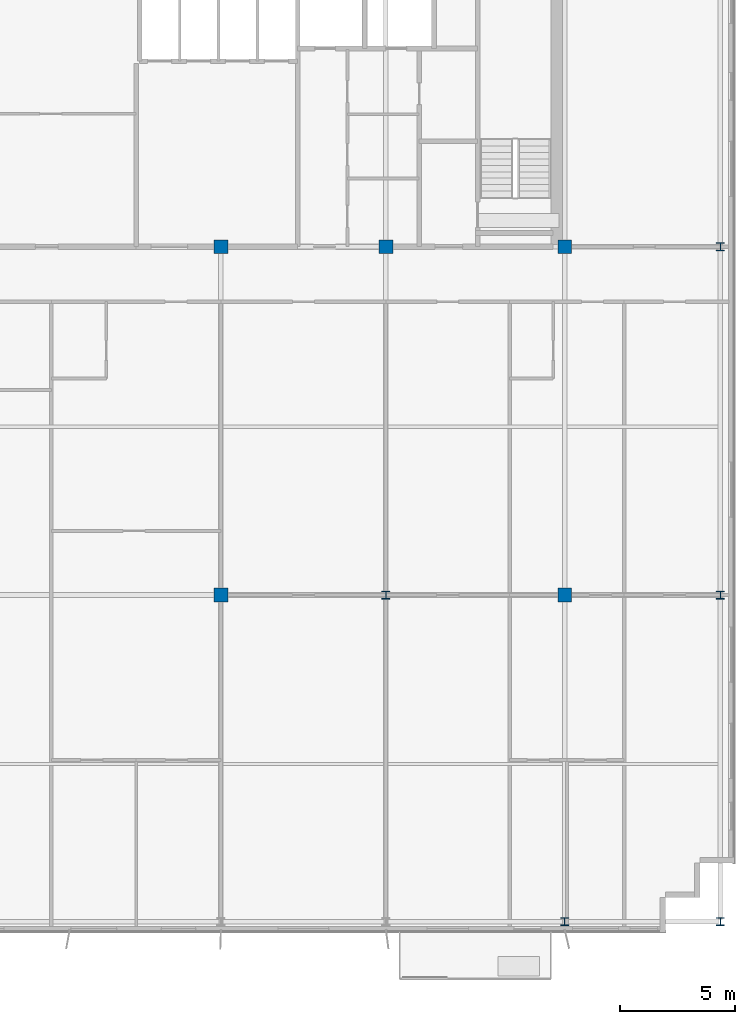
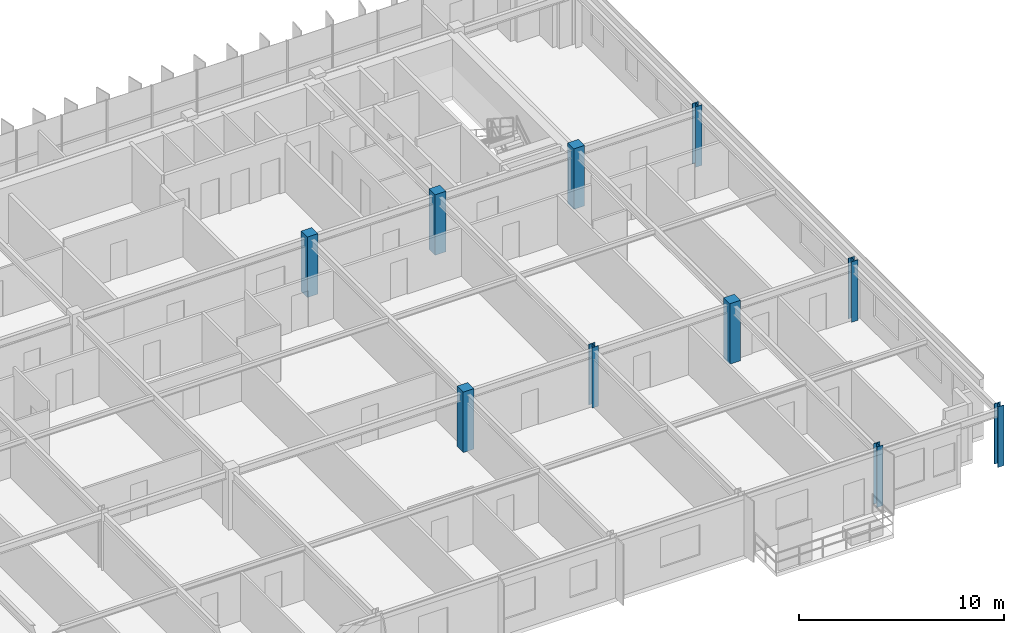
# One storey, part 2 of 23: 10 columns.
"""IFC4 building model written with IfcOpenShell, lengths in metres."""

from ifc_helpers import new_model, si_unit, direction, frame, origin, origin_2d, place, context, subcontext, project, spatial, rectangle, i_section, extrude, source, transform, mapped, material, material_profile, profile_set, type_object, element, save


model = new_model("IFC4")

# Units and contexts
model_context = context("Model", 3, precision=1e-05, world=origin(), true_north=direction((0.0, 1.0)))
body_context = subcontext(model_context, "Body", "Model", "MODEL_VIEW")
ifc_project = project(units=[si_unit("LENGTHUNIT", "METRE"), si_unit("AREAUNIT", "SQUARE_METRE"), si_unit("VOLUMEUNIT", "CUBIC_METRE"), si_unit("PLANEANGLEUNIT", "RADIAN"), si_unit("MASSUNIT", "GRAM", prefix="KILO")], contexts=[model_context])

# Site, building, storey
site_placement = place(None, origin())
site = spatial("IfcSite", under=ifc_project, at=site_placement, CompositionType="ELEMENT")
building_placement = place(site_placement, origin())
building = spatial("IfcBuilding", under=site, at=building_placement, Name="Trelvane Seafront Commons", CompositionType="ELEMENT")
storey_placement = place(building_placement, frame((0.0, 0.0, 259.5)))
storey = spatial("IfcBuildingStorey", under=building, at=storey_placement, Name="L67", CompositionType="ELEMENT", Elevation=259.5)

# Columns
ifc_material_1 = material(Name="Steel SM355 (S355)", Category="steel")
ifc_material_profile_1 = material_profile(ifc_material_1, i_section(OverallWidth=0.35009765625, OverallDepth=0.35009765625, WebThickness=0.01806640625, FlangeThickness=0.028076171875, at=origin_2d()), Name="HD-350x350x18x28")
ifc_profile_set_1 = profile_set([ifc_material_profile_1], Name="Steel SM355 (S355)")
column_type_1 = type_object("IfcColumnType", Name="STR-COL-HD350", PredefinedType="COLUMN", material=ifc_profile_set_1)
shared_shape_1 = source(origin(), body_context, "Body", "SweptSolid", [
    extrude(i_section(OverallWidth=0.35009765625, OverallDepth=0.35009765625, WebThickness=0.01806640625, FlangeThickness=0.028076171875, at=origin_2d()), origin(), (0.0, 0.0, 1.0), 3.60009765625),
])
for number, where, z_axis, x_axis, name in (
    (1, (51.0, 18.199951171875, 0.0), (0.0, 0.0, 1.0), (1.0, 0.0, 0.0), "L67 Column TC-M51.0"),
    (2, (58.800048828125, 3.949951171875, 0.0), (0.0, 0.0, 1.0), (1.0, 0.0, 0.0), "L67 Column TC-S58.8"),
    (3, (65.60009765625, 3.949951171875, 0.0), (0.0, 0.0, 1.0), (1.0, 0.0, 0.0), "L67 Column TC-S65.6"),
    (4, (65.60009765625, 18.199951171875, 0.0), (0.0, 0.0, 1.0), (1.0, 0.0, 0.0), "L67 Column TC-M65.6"),
    (5, (65.60009765625, 33.39990234375, 0.0), (0.0, 0.0, 1.0), (1.0, 0.0, 0.0), "L67 Column TC-CS65.6"),
):
    element("IfcColumn", number, at=place(storey_placement, frame(where, z_axis=z_axis, x_axis=x_axis)), inside=storey, type_object=column_type_1, Name=name, PredefinedType="COLUMN", context=body_context, shape_type="MappedRepresentation", body=[
        mapped(shared_shape_1, transform((0.0, 0.0, 0.0), x_axis=(1.0, 0.0, 0.0), y_axis=(0.0, 1.0, 0.0), z_axis=(0.0, 0.0, 1.0), scale=1.0)),
    ])
ifc_material_2 = material(Name="Concrete C50/60", Category="concrete")
ifc_material_profile_2 = material_profile(ifc_material_2, rectangle(XDim=0.60009765625, YDim=0.60009765625, at=origin_2d()), Name="RC-600x600")
ifc_profile_set_2 = profile_set([ifc_material_profile_2], Name="Concrete C50/60")
column_type_2 = type_object("IfcColumnType", Name="STR-COL-RC600", PredefinedType="COLUMN", material=ifc_profile_set_2)
shared_shape_2 = source(origin(), body_context, "Body", "SweptSolid", [
    extrude(rectangle(XDim=0.60009765625, YDim=0.60009765625, at=origin_2d()), origin(), (0.0, 0.0, 1.0), 3.60009765625),
])
for number, where, z_axis, x_axis, name in (
    (6, (43.800048828125, 18.199951171875, 0.0), (0.0, 0.0, 1.0), (1.0, 0.0, 0.0), "L67 Column TC-M43.8"),
    (7, (43.800048828125, 33.39990234375, 0.0), (0.0, 0.0, 1.0), (1.0, 0.0, 0.0), "L67 Column TC-CS43.8"),
    (8, (51.0, 33.39990234375, 0.0), (0.0, 0.0, 1.0), (1.0, 0.0, 0.0), "L67 Column TC-CS51.0"),
    (9, (58.800048828125, 18.199951171875, 0.0), (0.0, 0.0, 1.0), (1.0, 0.0, 0.0), "L67 Column TC-M58.8"),
    (10, (58.800048828125, 33.39990234375, 0.0), (0.0, 0.0, 1.0), (1.0, 0.0, 0.0), "L67 Column TC-CS58.8"),
):
    element("IfcColumn", number, at=place(storey_placement, frame(where, z_axis=z_axis, x_axis=x_axis)), inside=storey, type_object=column_type_2, Name=name, PredefinedType="COLUMN", context=body_context, shape_type="MappedRepresentation", body=[
        mapped(shared_shape_2, transform((0.0, 0.0, 0.0), x_axis=(1.0, 0.0, 0.0), y_axis=(0.0, 1.0, 0.0), z_axis=(0.0, 0.0, 1.0), scale=1.0)),
    ])

save(model, "model.ifc")
